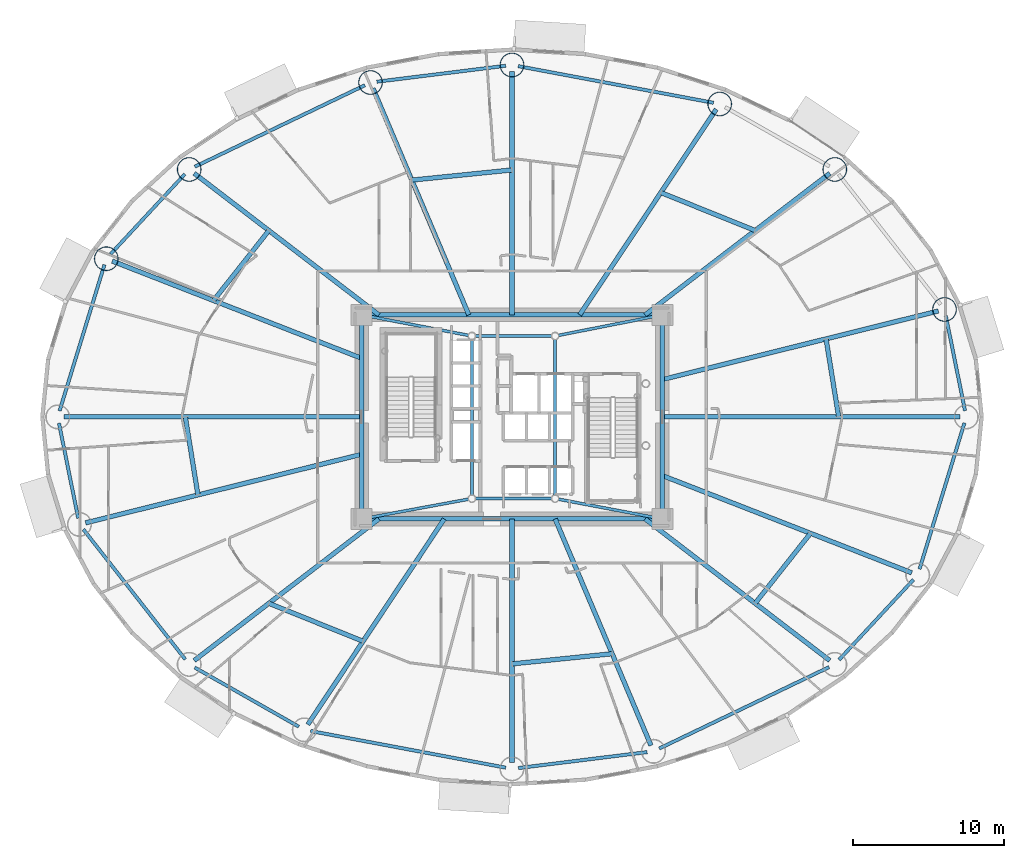
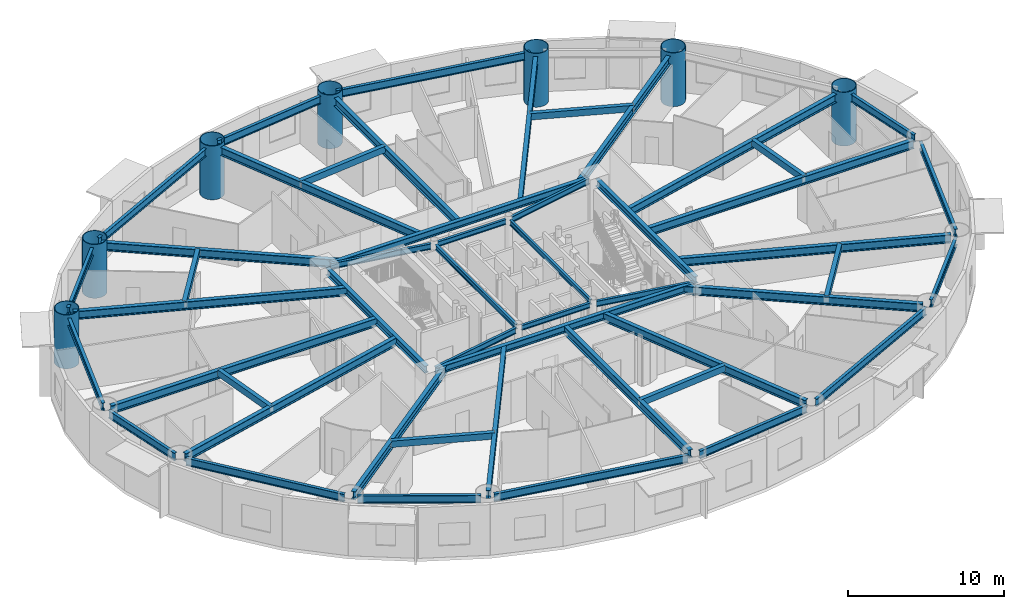
# One storey, part 3 of 24: 50 beams, 7 columns.
"""IFC4 building model written with IfcOpenShell, lengths in metres."""

from ifc_helpers import new_model, si_unit, direction, frame, origin, origin_2d, place, context, subcontext, project, spatial, hollow_rectangle, hollow_circle, i_section, extrude, material, material_profile, profile_set, type_object, element, save


model = new_model("IFC4")

# Units and contexts
model_context = context("Model", 3, precision=1e-05, world=origin(), true_north=direction((0.0, 1.0)))
body_context = subcontext(model_context, "Body", "Model", "MODEL_VIEW")
ifc_project = project(units=[si_unit("LENGTHUNIT", "METRE"), si_unit("AREAUNIT", "SQUARE_METRE"), si_unit("VOLUMEUNIT", "CUBIC_METRE"), si_unit("PLANEANGLEUNIT", "RADIAN"), si_unit("MASSUNIT", "GRAM", prefix="KILO")], contexts=[model_context])

# Site, building, storey
site_placement = place(None, origin())
site = spatial("IfcSite", under=ifc_project, at=site_placement, CompositionType="ELEMENT")
building_placement = place(site_placement, origin())
building = spatial("IfcBuilding", under=site, at=building_placement, Name="Linh Dai School and Residence Tower", CompositionType="ELEMENT")
storey_placement = place(building_placement, frame((0.0, 0.0, 70.199951171875)))
storey = spatial("IfcBuildingStorey", under=building, at=storey_placement, Name="L16", CompositionType="ELEMENT", Elevation=70.199951171875)

# Columns
ifc_material = material(Name="Structural Steel S355JR", Category="steel")
ifc_material_profile_1 = material_profile(ifc_material, hollow_circle(Radius=0.800048828125, WallThickness=0.044921875, at=origin_2d()), Name="CHS 1600x45")
ifc_profile_set_1 = profile_set([ifc_material_profile_1], Name="Structural Steel S355JR")
column_type = type_object("IfcColumnType", Name="COL-MC2", PredefinedType="COLUMN", material=ifc_profile_set_1)
for number, where, z_axis, x_axis, name in (
    (1, (64.61083984375, 34.108642578125, 0.0), (0.0, 0.0, 1.0), (1.0, 0.0, 0.0), "L16 Perimeter CFT Mega-Column MC02"),
    (2, (57.352783203125, 43.369140625, 0.0), (0.0, 0.0, 1.0), (1.0, 0.0, 0.0), "L16 Perimeter CFT Mega-Column MC03"),
    (3, (49.73828125, 47.69921875, 0.0), (0.0, 0.0, 1.0), (1.0, 0.0, 0.0), "L16 Perimeter CFT Mega-Column MC04"),
    (4, (36.0, 50.280029296875, 0.0), (0.0, 0.0, 1.0), (1.0, 0.0, 0.0), "L16 Perimeter CFT Mega-Column MC05"),
    (5, (26.642333984375, 49.119873046875, 0.0), (0.0, 0.0, 1.0), (1.0, 0.0, 0.0), "L16 Perimeter CFT Mega-Column MC06"),
    (6, (14.647216796875, 43.369140625, 0.0), (0.0, 0.0, 1.0), (1.0, 0.0, 0.0), "L16 Perimeter CFT Mega-Column MC07"),
    (7, (9.16455078125, 37.4638671875, 0.0), (0.0, 0.0, 1.0), (1.0, 0.0, 0.0), "L16 Perimeter CFT Mega-Column MC08"),
):
    element("IfcColumn", number, at=place(storey_placement, frame(where, z_axis=z_axis, x_axis=x_axis)), inside=storey, type_object=column_type, Name=name, PredefinedType="COLUMN", context=body_context, shape_type="SweptSolid", body=[
        extrude(hollow_circle(Radius=0.800048828125, WallThickness=0.044921875, at=origin_2d()), origin(), (0.0, 0.0, 1.0), 4.199951171875),
    ])

# Beams
ifc_material_profile_2 = material_profile(ifc_material, hollow_rectangle(XDim=0.300048828125, YDim=0.5, WallThickness=0.01611328125, at=origin_2d()), Name="RHS 500x300x16")
ifc_profile_set_2 = profile_set([ifc_material_profile_2], Name="Structural Steel S355JR")
beam_type_1 = type_object("IfcBeamType", Name="BM-BX5", PredefinedType="BEAM", material=ifc_profile_set_2)
beam_1_placement = place(storey_placement, frame((57.607177734375, 27.0048828125, 3.699951171875), z_axis=(-0.159632523434, 0.987176507754, 0.0), x_axis=(-0.987176507754, -0.159632523434, 0.0)))
element("IfcBeam", 8, at=beam_1_placement, inside=storey, type_object=beam_type_1, Name="L16 Secondary Circumferential Floor Beam 01", PredefinedType="BEAM", context=body_context, shape_type="SweptSolid", body=[
    extrude(hollow_rectangle(XDim=0.300048828125, YDim=0.5, WallThickness=0.01611328125, at=origin_2d()), origin(), (0.0, 0.0, 1.0), 5.21826171875),
])
beam_2_placement = place(storey_placement, frame((52.078125, 39.3310546875, 3.699951171875), z_axis=(-0.927542803202, 0.373716935968, 0.0), x_axis=(-0.373716935968, -0.927542803202, 0.0)))
element("IfcBeam", 9, at=beam_2_placement, inside=storey, type_object=beam_type_1, Name="L16 Secondary Circumferential Floor Beam 02", PredefinedType="BEAM", context=body_context, shape_type="SweptSolid", body=[
    extrude(hollow_rectangle(XDim=0.300048828125, YDim=0.5, WallThickness=0.01611328125, at=origin_2d()), origin(), (0.0, 0.0, 1.0), 6.709716796875),
])
beam_3_placement = place(storey_placement, frame((35.9951171875, 43.3369140625, 3.699951171875), z_axis=(-0.99488448114, -0.10101915257, 0.0), x_axis=(0.10101915257, -0.99488448114, 0.0)))
element("IfcBeam", 10, at=beam_3_placement, inside=storey, type_object=beam_type_1, Name="L16 Secondary Circumferential Floor Beam 03", PredefinedType="BEAM", context=body_context, shape_type="SweptSolid", body=[
    extrude(hollow_rectangle(XDim=0.300048828125, YDim=0.5, WallThickness=0.01611328125, at=origin_2d()), origin(), (0.0, 0.0, 1.0), 6.65087890625),
])
beam_4_placement = place(storey_placement, frame((19.914306640625, 39.3251953125, 3.699951171875), z_axis=(-0.620188156993, -0.784453089691, 0.0), x_axis=(0.784453089691, -0.620188156993, 0.0)))
element("IfcBeam", 11, at=beam_4_placement, inside=storey, type_object=beam_type_1, Name="L16 Secondary Circumferential Floor Beam 04", PredefinedType="BEAM", context=body_context, shape_type="SweptSolid", body=[
    extrude(hollow_rectangle(XDim=0.300048828125, YDim=0.5, WallThickness=0.01611328125, at=origin_2d()), origin(), (0.0, 0.0, 1.0), 5.89306640625),
])
beam_5_placement = place(storey_placement, frame((14.392822265625, 26.9951171875, 3.699951171875), z_axis=(0.159632523434, -0.987176507754, 0.0), x_axis=(0.987176507754, 0.159632523434, 0.0)))
element("IfcBeam", 12, at=beam_5_placement, inside=storey, type_object=beam_type_1, Name="L16 Secondary Circumferential Floor Beam 05", PredefinedType="BEAM", context=body_context, shape_type="SweptSolid", body=[
    extrude(hollow_rectangle(XDim=0.300048828125, YDim=0.5, WallThickness=0.01611328125, at=origin_2d()), origin(), (0.0, 0.0, 1.0), 5.21826171875),
])
beam_6_placement = place(storey_placement, frame((19.921875, 14.6689453125, 3.699951171875), z_axis=(0.927542803202, -0.373716935968, 0.0), x_axis=(0.373716935968, 0.927542803202, 0.0)))
element("IfcBeam", 13, at=beam_6_placement, inside=storey, type_object=beam_type_1, Name="L16 Secondary Circumferential Floor Beam 06", PredefinedType="BEAM", context=body_context, shape_type="SweptSolid", body=[
    extrude(hollow_rectangle(XDim=0.300048828125, YDim=0.5, WallThickness=0.01611328125, at=origin_2d()), origin(), (0.0, 0.0, 1.0), 6.709716796875),
])
beam_7_placement = place(storey_placement, frame((36.0048828125, 10.6630859375, 3.699951171875), z_axis=(0.99488448114, 0.10101915257, 0.0), x_axis=(-0.10101915257, 0.99488448114, 0.0)))
element("IfcBeam", 14, at=beam_7_placement, inside=storey, type_object=beam_type_1, Name="L16 Secondary Circumferential Floor Beam 07", PredefinedType="BEAM", context=body_context, shape_type="SweptSolid", body=[
    extrude(hollow_rectangle(XDim=0.300048828125, YDim=0.5, WallThickness=0.01611328125, at=origin_2d()), origin(), (0.0, 0.0, 1.0), 6.65087890625),
])
beam_8_placement = place(storey_placement, frame((52.085693359375, 14.6748046875, 3.699951171875), z_axis=(0.620188156993, 0.784453089691, 0.0), x_axis=(-0.784453089691, 0.620188156993, 0.0)))
element("IfcBeam", 15, at=beam_8_placement, inside=storey, type_object=beam_type_1, Name="L16 Secondary Circumferential Floor Beam 08", PredefinedType="BEAM", context=body_context, shape_type="SweptSolid", body=[
    extrude(hollow_rectangle(XDim=0.300048828125, YDim=0.5, WallThickness=0.01611328125, at=origin_2d()), origin(), (0.0, 0.0, 1.0), 5.89306640625),
])
ifc_material_profile_3 = material_profile(ifc_material, i_section(OverallWidth=0.219970703125, OverallDepth=0.60009765625, WebThickness=0.011962890625, FlangeThickness=0.01904296875, FilletRadius=0.02392578125, at=origin_2d()), Name="IPE 600")
ifc_profile_set_3 = profile_set([ifc_material_profile_3], Name="Structural Steel S355JR")
beam_type_2 = type_object("IfcBeamType", Name="BM-RB60", PredefinedType="BEAM", material=ifc_profile_set_3)
beam_9_placement = place(storey_placement, frame((65.966552734375, 27.41162109375, 3.650146484375), z_axis=(-0.198429171022, 0.980115230005, 0.0), x_axis=(-0.980115230005, -0.198429171022, 0.0)))
element("IfcBeam", 16, at=beam_9_placement, inside=storey, type_object=beam_type_2, Name="L16 Perimeter Elliptical Ring Beam 01", PredefinedType="BEAM", context=body_context, shape_type="SweptSolid", body=[
    extrude(i_section(OverallWidth=0.219970703125, OverallDepth=0.60009765625, WebThickness=0.011962890625, FlangeThickness=0.01904296875, FilletRadius=0.02392578125, at=origin_2d()), origin(), (0.0, 0.0, 1.0), 6.41259765625),
])
beam_10_placement = place(storey_placement, frame((49.32568359375, 47.776611328125, 3.650146484375), z_axis=(-0.982808389171, 0.184628465236, 0.0), x_axis=(-0.184628465236, -0.982808389171, 0.0)))
element("IfcBeam", 17, at=beam_10_placement, inside=storey, type_object=beam_type_2, Name="L16 Perimeter Elliptical Ring Beam 04", PredefinedType="BEAM", context=body_context, shape_type="SweptSolid", body=[
    extrude(i_section(OverallWidth=0.219970703125, OverallDepth=0.60009765625, WebThickness=0.011962890625, FlangeThickness=0.01904296875, FilletRadius=0.02392578125, at=origin_2d()), origin(), (0.0, 0.0, 1.0), 13.138671875),
])
beam_11_placement = place(storey_placement, frame((35.583251953125, 50.228271484375, 3.650146484375), z_axis=(-0.99240113372, -0.123044665842, 0.0), x_axis=(0.123044665842, -0.99240113372, 0.0)))
element("IfcBeam", 18, at=beam_11_placement, inside=storey, type_object=beam_type_2, Name="L16 Perimeter Elliptical Ring Beam 05", PredefinedType="BEAM", context=body_context, shape_type="SweptSolid", body=[
    extrude(i_section(OverallWidth=0.219970703125, OverallDepth=0.60009765625, WebThickness=0.011962890625, FlangeThickness=0.01904296875, FilletRadius=0.02392578125, at=origin_2d()), origin(), (0.0, 0.0, 1.0), 8.58935546875),
])
beam_12_placement = place(storey_placement, frame((26.263427734375, 48.938232421875, 3.650146484375), z_axis=(-0.901728693485, -0.432302398034, 0.0), x_axis=(0.432302398034, -0.901728693485, 0.0)))
element("IfcBeam", 19, at=beam_12_placement, inside=storey, type_object=beam_type_2, Name="L16 Perimeter Elliptical Ring Beam 06", PredefinedType="BEAM", context=body_context, shape_type="SweptSolid", body=[
    extrude(i_section(OverallWidth=0.219970703125, OverallDepth=0.60009765625, WebThickness=0.011962890625, FlangeThickness=0.01904296875, FilletRadius=0.02392578125, at=origin_2d()), origin(), (0.0, 0.0, 1.0), 12.462158203125),
])
beam_13_placement = place(storey_placement, frame((14.361572265625, 43.061279296875, 3.650146484375), z_axis=(-0.680408287194, -0.732833243458, 0.0), x_axis=(0.732833243458, -0.680408287194, 0.0)))
element("IfcBeam", 20, at=beam_13_placement, inside=storey, type_object=beam_type_2, Name="L16 Perimeter Elliptical Ring Beam 07", PredefinedType="BEAM", context=body_context, shape_type="SweptSolid", body=[
    extrude(i_section(OverallWidth=0.219970703125, OverallDepth=0.60009765625, WebThickness=0.011962890625, FlangeThickness=0.01904296875, FilletRadius=0.02392578125, at=origin_2d()), origin(), (0.0, 0.0, 1.0), 7.21826171875),
])
beam_14_placement = place(storey_placement, frame((9.041259765625, 37.062255859375, 3.650146484375), z_axis=(-0.293673329015, -0.95590584046, 0.0), x_axis=(0.95590584046, -0.293673329015, 0.0)))
element("IfcBeam", 21, at=beam_14_placement, inside=storey, type_object=beam_type_2, Name="L16 Perimeter Elliptical Ring Beam 08", PredefinedType="BEAM", context=body_context, shape_type="SweptSolid", body=[
    extrude(i_section(OverallWidth=0.219970703125, OverallDepth=0.60009765625, WebThickness=0.011962890625, FlangeThickness=0.01904296875, FilletRadius=0.02392578125, at=origin_2d()), origin(), (0.0, 0.0, 1.0), 10.1064453125),
])
beam_15_placement = place(storey_placement, frame((6.033447265625, 26.58837890625, 3.650146484375), z_axis=(0.198429171022, -0.980115230005, 0.0), x_axis=(0.980115230005, 0.198429171022, 0.0)))
element("IfcBeam", 22, at=beam_15_placement, inside=storey, type_object=beam_type_2, Name="L16 Perimeter Elliptical Ring Beam 09", PredefinedType="BEAM", context=body_context, shape_type="SweptSolid", body=[
    extrude(i_section(OverallWidth=0.219970703125, OverallDepth=0.60009765625, WebThickness=0.011962890625, FlangeThickness=0.01904296875, FilletRadius=0.02392578125, at=origin_2d()), origin(), (0.0, 0.0, 1.0), 6.41259765625),
])
beam_16_placement = place(storey_placement, frame((7.648193359375, 19.560791015625, 3.650146484375), z_axis=(0.616878670407, -0.787058260866, 0.0), x_axis=(0.787058260866, 0.616878670407, 0.0)))
element("IfcBeam", 23, at=beam_16_placement, inside=storey, type_object=beam_type_2, Name="L16 Perimeter Elliptical Ring Beam 10", PredefinedType="BEAM", context=body_context, shape_type="SweptSolid", body=[
    extrude(i_section(OverallWidth=0.219970703125, OverallDepth=0.60009765625, WebThickness=0.011962890625, FlangeThickness=0.01904296875, FilletRadius=0.02392578125, at=origin_2d()), origin(), (0.0, 0.0, 1.0), 10.926025390625),
])
beam_17_placement = place(storey_placement, frame((15.012451171875, 10.42333984375, 3.650146484375), z_axis=(0.869271416992, -0.494335112653, 0.0), x_axis=(0.494335112653, 0.869271416992, 0.0)))
element("IfcBeam", 24, at=beam_17_placement, inside=storey, type_object=beam_type_2, Name="L16 Perimeter Elliptical Ring Beam 11", PredefinedType="BEAM", context=body_context, shape_type="SweptSolid", body=[
    extrude(i_section(OverallWidth=0.219970703125, OverallDepth=0.60009765625, WebThickness=0.011962890625, FlangeThickness=0.01904296875, FilletRadius=0.02392578125, at=origin_2d()), origin(), (0.0, 0.0, 1.0), 7.91943359375),
])
beam_18_placement = place(storey_placement, frame((22.67431640625, 6.223388671875, 3.650146484375), z_axis=(0.982808389171, -0.184628465236, 0.0), x_axis=(0.184628465236, 0.982808389171, 0.0)))
element("IfcBeam", 25, at=beam_18_placement, inside=storey, type_object=beam_type_2, Name="L16 Perimeter Elliptical Ring Beam 12", PredefinedType="BEAM", context=body_context, shape_type="SweptSolid", body=[
    extrude(i_section(OverallWidth=0.219970703125, OverallDepth=0.60009765625, WebThickness=0.011962890625, FlangeThickness=0.01904296875, FilletRadius=0.02392578125, at=origin_2d()), origin(), (0.0, 0.0, 1.0), 13.138671875),
])
beam_19_placement = place(storey_placement, frame((36.416748046875, 3.771728515625, 3.650146484375), z_axis=(0.99240113372, 0.123044665842, 0.0), x_axis=(-0.123044665842, 0.99240113372, 0.0)))
element("IfcBeam", 26, at=beam_19_placement, inside=storey, type_object=beam_type_2, Name="L16 Perimeter Elliptical Ring Beam 13", PredefinedType="BEAM", context=body_context, shape_type="SweptSolid", body=[
    extrude(i_section(OverallWidth=0.219970703125, OverallDepth=0.60009765625, WebThickness=0.011962890625, FlangeThickness=0.01904296875, FilletRadius=0.02392578125, at=origin_2d()), origin(), (0.0, 0.0, 1.0), 8.58935546875),
])
beam_20_placement = place(storey_placement, frame((45.736572265625, 5.061767578125, 3.650146484375), z_axis=(0.901728693485, 0.432302398034, 0.0), x_axis=(-0.432302398034, 0.901728693485, 0.0)))
element("IfcBeam", 27, at=beam_20_placement, inside=storey, type_object=beam_type_2, Name="L16 Perimeter Elliptical Ring Beam 14", PredefinedType="BEAM", context=body_context, shape_type="SweptSolid", body=[
    extrude(i_section(OverallWidth=0.219970703125, OverallDepth=0.60009765625, WebThickness=0.011962890625, FlangeThickness=0.01904296875, FilletRadius=0.02392578125, at=origin_2d()), origin(), (0.0, 0.0, 1.0), 12.462158203125),
])
beam_21_placement = place(storey_placement, frame((57.638427734375, 10.938720703125, 3.650146484375), z_axis=(0.680408287194, 0.732833243458, 0.0), x_axis=(-0.732833243458, 0.680408287194, 0.0)))
element("IfcBeam", 28, at=beam_21_placement, inside=storey, type_object=beam_type_2, Name="L16 Perimeter Elliptical Ring Beam 15", PredefinedType="BEAM", context=body_context, shape_type="SweptSolid", body=[
    extrude(i_section(OverallWidth=0.219970703125, OverallDepth=0.60009765625, WebThickness=0.011962890625, FlangeThickness=0.01904296875, FilletRadius=0.02392578125, at=origin_2d()), origin(), (0.0, 0.0, 1.0), 7.21826171875),
])
beam_22_placement = place(storey_placement, frame((62.958740234375, 16.937744140625, 3.650146484375), z_axis=(0.293673329015, 0.95590584046, 0.0), x_axis=(-0.95590584046, 0.293673329015, 0.0)))
element("IfcBeam", 29, at=beam_22_placement, inside=storey, type_object=beam_type_2, Name="L16 Perimeter Elliptical Ring Beam 16", PredefinedType="BEAM", context=body_context, shape_type="SweptSolid", body=[
    extrude(i_section(OverallWidth=0.219970703125, OverallDepth=0.60009765625, WebThickness=0.011962890625, FlangeThickness=0.01904296875, FilletRadius=0.02392578125, at=origin_2d()), origin(), (0.0, 0.0, 1.0), 10.1064453125),
])
ifc_material_profile_4 = material_profile(ifc_material, i_section(OverallWidth=0.300048828125, OverallDepth=0.550048828125, WebThickness=0.014892578125, FlangeThickness=0.029052734375, FilletRadius=0.027099609375, at=origin_2d()), Name="HEB 550")
ifc_profile_set_4 = profile_set([ifc_material_profile_4], Name="Structural Steel S355JR")
beam_type_3 = type_object("IfcBeamType", Name="BM-RG55", PredefinedType="BEAM", material=ifc_profile_set_4)
beam_23_placement = place(storey_placement, frame((26.469970703125, 20.25, 3.675048828125), z_axis=(1.0, 0.0, 0.0), x_axis=(0.0, 1.0, 0.0)))
element("IfcBeam", 30, at=beam_23_placement, inside=storey, type_object=beam_type_3, Name="L16 Core Perimeter Coupling Girder 1", PredefinedType="BEAM", context=body_context, shape_type="SweptSolid", body=[
    extrude(i_section(OverallWidth=0.300048828125, OverallDepth=0.550048828125, WebThickness=0.014892578125, FlangeThickness=0.029052734375, FilletRadius=0.027099609375, at=origin_2d()), origin(), (0.0, 0.0, 1.0), 19.06005859375),
])
beam_24_placement = place(storey_placement, frame((45.949951171875, 20.669921875, 3.675048828125), z_axis=(0.0, 1.0, 0.0), x_axis=(-1.0, 0.0, 0.0)))
element("IfcBeam", 31, at=beam_24_placement, inside=storey, type_object=beam_type_3, Name="L16 Core Perimeter Coupling Girder 2", PredefinedType="BEAM", context=body_context, shape_type="SweptSolid", body=[
    extrude(i_section(OverallWidth=0.300048828125, OverallDepth=0.550048828125, WebThickness=0.014892578125, FlangeThickness=0.029052734375, FilletRadius=0.027099609375, at=origin_2d()), origin(), (0.0, 0.0, 1.0), 12.66015625),
])
beam_25_placement = place(storey_placement, frame((45.530029296875, 33.75, 3.675048828125), z_axis=(-1.0, 0.0, 0.0), x_axis=(0.0, -1.0, 0.0)))
element("IfcBeam", 32, at=beam_25_placement, inside=storey, type_object=beam_type_3, Name="L16 Core Perimeter Coupling Girder 3", PredefinedType="BEAM", context=body_context, shape_type="SweptSolid", body=[
    extrude(i_section(OverallWidth=0.300048828125, OverallDepth=0.550048828125, WebThickness=0.014892578125, FlangeThickness=0.029052734375, FilletRadius=0.027099609375, at=origin_2d()), origin(), (0.0, 0.0, 1.0), 19.06005859375),
])
beam_26_placement = place(storey_placement, frame((26.050048828125, 33.330078125, 3.675048828125), z_axis=(0.0, -1.0, 0.0), x_axis=(1.0, 0.0, 0.0)))
element("IfcBeam", 33, at=beam_26_placement, inside=storey, type_object=beam_type_3, Name="L16 Core Perimeter Coupling Girder 4", PredefinedType="BEAM", context=body_context, shape_type="SweptSolid", body=[
    extrude(i_section(OverallWidth=0.300048828125, OverallDepth=0.550048828125, WebThickness=0.014892578125, FlangeThickness=0.029052734375, FilletRadius=0.027099609375, at=origin_2d()), origin(), (0.0, 0.0, 1.0), 12.66015625),
])
ifc_material_profile_5 = material_profile(ifc_material, i_section(OverallWidth=0.300048828125, OverallDepth=0.64990234375, WebThickness=0.01611328125, FlangeThickness=0.031005859375, FilletRadius=0.027099609375, at=origin_2d()), Name="HEB 650")
ifc_profile_set_5 = profile_set([ifc_material_profile_5], Name="Structural Steel S355JR")
beam_type_4 = type_object("IfcBeamType", Name="BM-RG65", PredefinedType="BEAM", material=ifc_profile_set_5)
beam_27_placement = place(storey_placement, frame((45.949951171875, 27.0, 3.625), z_axis=(1.0, 0.0, 0.0), x_axis=(0.0, 1.0, 0.0)))
element("IfcBeam", 34, at=beam_27_placement, inside=storey, type_object=beam_type_4, Name="L16 Primary Radial Floor Girder 01", PredefinedType="BEAM", context=body_context, shape_type="SweptSolid", body=[
    extrude(i_section(OverallWidth=0.300048828125, OverallDepth=0.64990234375, WebThickness=0.01611328125, FlangeThickness=0.031005859375, FilletRadius=0.027099609375, at=origin_2d()), origin(), (0.0, 0.0, 1.0), 19.679931640625),
])
beam_28_placement = place(storey_placement, frame((45.949951171875, 29.47216796875, 3.625), z_axis=(0.970493481328, 0.241127357843, 0.0), x_axis=(-0.241127357843, 0.970493481328, 0.0)))
element("IfcBeam", 35, at=beam_28_placement, inside=storey, type_object=beam_type_4, Name="L16 Primary Radial Floor Girder 02", PredefinedType="BEAM", context=body_context, shape_type="SweptSolid", body=[
    extrude(i_section(OverallWidth=0.300048828125, OverallDepth=0.64990234375, WebThickness=0.01611328125, FlangeThickness=0.031005859375, FilletRadius=0.027099609375, at=origin_2d()), origin(), (0.0, 0.0, 1.0), 18.80810546875),
])
beam_29_placement = place(storey_placement, frame((44.804931640625, 33.75, 3.625), z_axis=(0.793637764155, 0.608390581212, 0.0), x_axis=(-0.608390581212, 0.793637764155, 0.0)))
element("IfcBeam", 36, at=beam_29_placement, inside=storey, type_object=beam_type_4, Name="L16 Primary Radial Floor Girder 03", PredefinedType="BEAM", context=body_context, shape_type="SweptSolid", body=[
    extrude(i_section(OverallWidth=0.300048828125, OverallDepth=0.64990234375, WebThickness=0.01611328125, FlangeThickness=0.031005859375, FilletRadius=0.027099609375, at=origin_2d()), origin(), (0.0, 0.0, 1.0), 15.390625),
])
beam_30_placement = place(storey_placement, frame((40.47998046875, 33.75, 3.625), z_axis=(0.55300421354, 0.833178456158, 0.0), x_axis=(-0.833178456158, 0.55300421354, 0.0)))
element("IfcBeam", 37, at=beam_30_placement, inside=storey, type_object=beam_type_4, Name="L16 Primary Radial Floor Girder 04", PredefinedType="BEAM", context=body_context, shape_type="SweptSolid", body=[
    extrude(i_section(OverallWidth=0.300048828125, OverallDepth=0.64990234375, WebThickness=0.01611328125, FlangeThickness=0.031005859375, FilletRadius=0.027099609375, at=origin_2d()), origin(), (0.0, 0.0, 1.0), 16.322021484375),
])
beam_31_placement = place(storey_placement, frame((36.0, 33.75, 3.625), z_axis=(0.0, 1.0, 0.0), x_axis=(-1.0, 0.0, 0.0)))
element("IfcBeam", 38, at=beam_31_placement, inside=storey, type_object=beam_type_4, Name="L16 Primary Radial Floor Girder 05", PredefinedType="BEAM", context=body_context, shape_type="SweptSolid", body=[
    extrude(i_section(OverallWidth=0.300048828125, OverallDepth=0.64990234375, WebThickness=0.01611328125, FlangeThickness=0.031005859375, FilletRadius=0.027099609375, at=origin_2d()), origin(), (0.0, 0.0, 1.0), 16.110107421875),
])
beam_32_placement = place(storey_placement, frame((33.14453125, 33.75, 3.625), z_axis=(-0.38962432485, 0.920973878829, 0.0), x_axis=(-0.920973878829, -0.38962432485, 0.0)))
element("IfcBeam", 39, at=beam_32_placement, inside=storey, type_object=beam_type_4, Name="L16 Primary Radial Floor Girder 06", PredefinedType="BEAM", context=body_context, shape_type="SweptSolid", body=[
    extrude(i_section(OverallWidth=0.300048828125, OverallDepth=0.64990234375, WebThickness=0.01611328125, FlangeThickness=0.031005859375, FilletRadius=0.027099609375, at=origin_2d()), origin(), (0.0, 0.0, 1.0), 16.2685546875),
])
beam_33_placement = place(storey_placement, frame((27.195068359375, 33.75, 3.625), z_axis=(-0.793637764155, 0.608390581212, 0.0), x_axis=(-0.608390581212, -0.793637764155, 0.0)))
element("IfcBeam", 40, at=beam_33_placement, inside=storey, type_object=beam_type_4, Name="L16 Primary Radial Floor Girder 07", PredefinedType="BEAM", context=body_context, shape_type="SweptSolid", body=[
    extrude(i_section(OverallWidth=0.300048828125, OverallDepth=0.64990234375, WebThickness=0.01611328125, FlangeThickness=0.031005859375, FilletRadius=0.027099609375, at=origin_2d()), origin(), (0.0, 0.0, 1.0), 15.390625),
])
beam_34_placement = place(storey_placement, frame((26.050048828125, 30.879638671875, 3.625), z_axis=(-0.93167509369, 0.363292609061, 0.0), x_axis=(-0.363292609061, -0.93167509369, 0.0)))
element("IfcBeam", 41, at=beam_34_placement, inside=storey, type_object=beam_type_4, Name="L16 Primary Radial Floor Girder 08", PredefinedType="BEAM", context=body_context, shape_type="SweptSolid", body=[
    extrude(i_section(OverallWidth=0.300048828125, OverallDepth=0.64990234375, WebThickness=0.01611328125, FlangeThickness=0.031005859375, FilletRadius=0.027099609375, at=origin_2d()), origin(), (0.0, 0.0, 1.0), 17.703857421875),
])
beam_35_placement = place(storey_placement, frame((26.050048828125, 27.0, 3.625), z_axis=(-1.0, 0.0, 0.0), x_axis=(0.0, -1.0, 0.0)))
element("IfcBeam", 42, at=beam_35_placement, inside=storey, type_object=beam_type_4, Name="L16 Primary Radial Floor Girder 09", PredefinedType="BEAM", context=body_context, shape_type="SweptSolid", body=[
    extrude(i_section(OverallWidth=0.300048828125, OverallDepth=0.64990234375, WebThickness=0.01611328125, FlangeThickness=0.031005859375, FilletRadius=0.027099609375, at=origin_2d()), origin(), (0.0, 0.0, 1.0), 19.679931640625),
])
beam_36_placement = place(storey_placement, frame((26.050048828125, 24.52783203125, 3.625), z_axis=(-0.970493481328, -0.241127357843, 0.0), x_axis=(0.241127357843, -0.970493481328, 0.0)))
element("IfcBeam", 43, at=beam_36_placement, inside=storey, type_object=beam_type_4, Name="L16 Primary Radial Floor Girder 10", PredefinedType="BEAM", context=body_context, shape_type="SweptSolid", body=[
    extrude(i_section(OverallWidth=0.300048828125, OverallDepth=0.64990234375, WebThickness=0.01611328125, FlangeThickness=0.031005859375, FilletRadius=0.027099609375, at=origin_2d()), origin(), (0.0, 0.0, 1.0), 18.80810546875),
])
beam_37_placement = place(storey_placement, frame((27.195068359375, 20.25, 3.625), z_axis=(-0.793637764155, -0.608390581212, 0.0), x_axis=(0.608390581212, -0.793637764155, 0.0)))
element("IfcBeam", 44, at=beam_37_placement, inside=storey, type_object=beam_type_4, Name="L16 Primary Radial Floor Girder 11", PredefinedType="BEAM", context=body_context, shape_type="SweptSolid", body=[
    extrude(i_section(OverallWidth=0.300048828125, OverallDepth=0.64990234375, WebThickness=0.01611328125, FlangeThickness=0.031005859375, FilletRadius=0.027099609375, at=origin_2d()), origin(), (0.0, 0.0, 1.0), 15.390625),
])
beam_38_placement = place(storey_placement, frame((31.52001953125, 20.25, 3.625), z_axis=(-0.55300421354, -0.833178456158, 0.0), x_axis=(0.833178456158, -0.55300421354, 0.0)))
element("IfcBeam", 45, at=beam_38_placement, inside=storey, type_object=beam_type_4, Name="L16 Primary Radial Floor Girder 12", PredefinedType="BEAM", context=body_context, shape_type="SweptSolid", body=[
    extrude(i_section(OverallWidth=0.300048828125, OverallDepth=0.64990234375, WebThickness=0.01611328125, FlangeThickness=0.031005859375, FilletRadius=0.027099609375, at=origin_2d()), origin(), (0.0, 0.0, 1.0), 16.322021484375),
])
beam_39_placement = place(storey_placement, frame((36.0, 20.25, 3.625), z_axis=(0.0, -1.0, 0.0), x_axis=(1.0, 0.0, 0.0)))
element("IfcBeam", 46, at=beam_39_placement, inside=storey, type_object=beam_type_4, Name="L16 Primary Radial Floor Girder 13", PredefinedType="BEAM", context=body_context, shape_type="SweptSolid", body=[
    extrude(i_section(OverallWidth=0.300048828125, OverallDepth=0.64990234375, WebThickness=0.01611328125, FlangeThickness=0.031005859375, FilletRadius=0.027099609375, at=origin_2d()), origin(), (0.0, 0.0, 1.0), 16.110107421875),
])
beam_40_placement = place(storey_placement, frame((38.85546875, 20.25, 3.625), z_axis=(0.38962432485, -0.920973878829, 0.0), x_axis=(0.920973878829, 0.38962432485, 0.0)))
element("IfcBeam", 47, at=beam_40_placement, inside=storey, type_object=beam_type_4, Name="L16 Primary Radial Floor Girder 14", PredefinedType="BEAM", context=body_context, shape_type="SweptSolid", body=[
    extrude(i_section(OverallWidth=0.300048828125, OverallDepth=0.64990234375, WebThickness=0.01611328125, FlangeThickness=0.031005859375, FilletRadius=0.027099609375, at=origin_2d()), origin(), (0.0, 0.0, 1.0), 16.2685546875),
])
beam_41_placement = place(storey_placement, frame((44.804931640625, 20.25, 3.625), z_axis=(0.793637764155, -0.608390581212, 0.0), x_axis=(0.608390581212, 0.793637764155, 0.0)))
element("IfcBeam", 48, at=beam_41_placement, inside=storey, type_object=beam_type_4, Name="L16 Primary Radial Floor Girder 15", PredefinedType="BEAM", context=body_context, shape_type="SweptSolid", body=[
    extrude(i_section(OverallWidth=0.300048828125, OverallDepth=0.64990234375, WebThickness=0.01611328125, FlangeThickness=0.031005859375, FilletRadius=0.027099609375, at=origin_2d()), origin(), (0.0, 0.0, 1.0), 15.390625),
])
beam_42_placement = place(storey_placement, frame((45.949951171875, 23.120361328125, 3.625), z_axis=(0.93167509369, -0.363292609061, 0.0), x_axis=(0.363292609061, 0.93167509369, 0.0)))
element("IfcBeam", 49, at=beam_42_placement, inside=storey, type_object=beam_type_4, Name="L16 Primary Radial Floor Girder 16", PredefinedType="BEAM", context=body_context, shape_type="SweptSolid", body=[
    extrude(i_section(OverallWidth=0.300048828125, OverallDepth=0.64990234375, WebThickness=0.01611328125, FlangeThickness=0.031005859375, FilletRadius=0.027099609375, at=origin_2d()), origin(), (0.0, 0.0, 1.0), 17.703857421875),
])
ifc_material_profile_6 = material_profile(ifc_material, i_section(OverallWidth=0.179931640625, OverallDepth=0.39990234375, WebThickness=0.008544921875, FlangeThickness=0.013427734375, FilletRadius=0.02099609375, at=origin_2d()), Name="IPE 400")
ifc_profile_set_6 = profile_set([ifc_material_profile_6], Name="Structural Steel S355JR")
beam_type_5 = type_object("IfcBeamType", Name="BM-SB40", PredefinedType="BEAM", material=ifc_profile_set_6)
beam_43_placement = place(storey_placement, frame((33.573974609375, 21.60009765625, 3.75), z_axis=(1.0, 0.0, 0.0), x_axis=(0.0, 1.0, 0.0)))
element("IfcBeam", 50, at=beam_43_placement, inside=storey, type_object=beam_type_5, Name="L16 Core Mast Pier Tie Beam 1", PredefinedType="BEAM", context=body_context, shape_type="SweptSolid", body=[
    extrude(i_section(OverallWidth=0.179931640625, OverallDepth=0.39990234375, WebThickness=0.008544921875, FlangeThickness=0.013427734375, FilletRadius=0.02099609375, at=origin_2d()), origin(), (0.0, 0.0, 1.0), 5.052001953125),
])
beam_44_placement = place(storey_placement, frame((38.85009765625, 21.823974609375, 3.75), z_axis=(0.0, 1.0, 0.0), x_axis=(-1.0, 0.0, 0.0)))
element("IfcBeam", 51, at=beam_44_placement, inside=storey, type_object=beam_type_5, Name="L16 Core Mast Pier Tie Beam 2", PredefinedType="BEAM", context=body_context, shape_type="SweptSolid", body=[
    extrude(i_section(OverallWidth=0.179931640625, OverallDepth=0.39990234375, WebThickness=0.008544921875, FlangeThickness=0.013427734375, FilletRadius=0.02099609375, at=origin_2d()), origin(), (0.0, 0.0, 1.0), 10.302001953125),
])
beam_45_placement = place(storey_placement, frame((38.6259765625, 32.35009765625, 3.75), z_axis=(-1.0, 0.0, 0.0), x_axis=(0.0, -1.0, 0.0)))
element("IfcBeam", 52, at=beam_45_placement, inside=storey, type_object=beam_type_5, Name="L16 Core Mast Pier Tie Beam 3", PredefinedType="BEAM", context=body_context, shape_type="SweptSolid", body=[
    extrude(i_section(OverallWidth=0.179931640625, OverallDepth=0.39990234375, WebThickness=0.008544921875, FlangeThickness=0.013427734375, FilletRadius=0.02099609375, at=origin_2d()), origin(), (0.0, 0.0, 1.0), 5.052001953125),
])
beam_46_placement = place(storey_placement, frame((33.35009765625, 32.1259765625, 3.75), z_axis=(0.0, -1.0, 0.0), x_axis=(1.0, 0.0, 0.0)))
element("IfcBeam", 53, at=beam_46_placement, inside=storey, type_object=beam_type_5, Name="L16 Core Mast Pier Tie Beam 4", PredefinedType="BEAM", context=body_context, shape_type="SweptSolid", body=[
    extrude(i_section(OverallWidth=0.179931640625, OverallDepth=0.39990234375, WebThickness=0.008544921875, FlangeThickness=0.013427734375, FilletRadius=0.02099609375, at=origin_2d()), origin(), (0.0, 0.0, 1.0), 10.302001953125),
])
ifc_material_profile_7 = material_profile(ifc_material, i_section(OverallWidth=0.18994140625, OverallDepth=0.449951171875, WebThickness=0.009521484375, FlangeThickness=0.0146484375, FilletRadius=0.02099609375, at=origin_2d()), Name="IPE 450")
ifc_profile_set_7 = profile_set([ifc_material_profile_7], Name="Structural Steel S355JR")
beam_type_6 = type_object("IfcBeamType", Name="BM-SB45", PredefinedType="BEAM", material=ifc_profile_set_7)
beam_47_placement = place(storey_placement, frame((26.462890625, 20.326416015625, 3.72509765625), z_axis=(0.983326152819, 0.18185070025, 0.0), x_axis=(-0.18185070025, 0.983326152819, 0.0)))
element("IfcBeam", 54, at=beam_47_placement, inside=storey, type_object=beam_type_6, Name="L16 Core Corner-to-Mast Pier Beam 1", PredefinedType="BEAM", context=body_context, shape_type="SweptSolid", body=[
    extrude(i_section(OverallWidth=0.18994140625, OverallDepth=0.449951171875, WebThickness=0.009521484375, FlangeThickness=0.0146484375, FilletRadius=0.02099609375, at=origin_2d()), origin(), (0.0, 0.0, 1.0), 6.77978515625),
])
beam_48_placement = place(storey_placement, frame((45.537353515625, 20.328369140625, 3.72509765625), z_axis=(-0.982397918823, 0.186800238471, 0.0), x_axis=(-0.186800238471, -0.982397918823, 0.0)))
element("IfcBeam", 55, at=beam_48_placement, inside=storey, type_object=beam_type_6, Name="L16 Core Corner-to-Mast Pier Beam 2", PredefinedType="BEAM", context=body_context, shape_type="SweptSolid", body=[
    extrude(i_section(OverallWidth=0.18994140625, OverallDepth=0.449951171875, WebThickness=0.009521484375, FlangeThickness=0.0146484375, FilletRadius=0.02099609375, at=origin_2d()), origin(), (0.0, 0.0, 1.0), 6.583251953125),
])
beam_49_placement = place(storey_placement, frame((45.537841796875, 33.668701171875, 3.72509765625), z_axis=(-0.981108354988, -0.193459028666, 0.0), x_axis=(0.193459028666, -0.981108354988, 0.0)))
element("IfcBeam", 56, at=beam_49_placement, inside=storey, type_object=beam_type_6, Name="L16 Core Corner-to-Mast Pier Beam 3", PredefinedType="BEAM", context=body_context, shape_type="SweptSolid", body=[
    extrude(i_section(OverallWidth=0.18994140625, OverallDepth=0.449951171875, WebThickness=0.009521484375, FlangeThickness=0.0146484375, FilletRadius=0.02099609375, at=origin_2d()), origin(), (0.0, 0.0, 1.0), 6.592529296875),
])
beam_50_placement = place(storey_placement, frame((26.46240234375, 33.6708984375, 3.72509765625), z_axis=(0.982100456787, -0.188357884832, 0.0), x_axis=(0.188357884832, 0.982100456787, 0.0)))
element("IfcBeam", 57, at=beam_50_placement, inside=storey, type_object=beam_type_6, Name="L16 Core Corner-to-Mast Pier Beam 4", PredefinedType="BEAM", context=body_context, shape_type="SweptSolid", body=[
    extrude(i_section(OverallWidth=0.18994140625, OverallDepth=0.449951171875, WebThickness=0.009521484375, FlangeThickness=0.0146484375, FilletRadius=0.02099609375, at=origin_2d()), origin(), (0.0, 0.0, 1.0), 6.789306640625),
])

save(model, "model.ifc")
